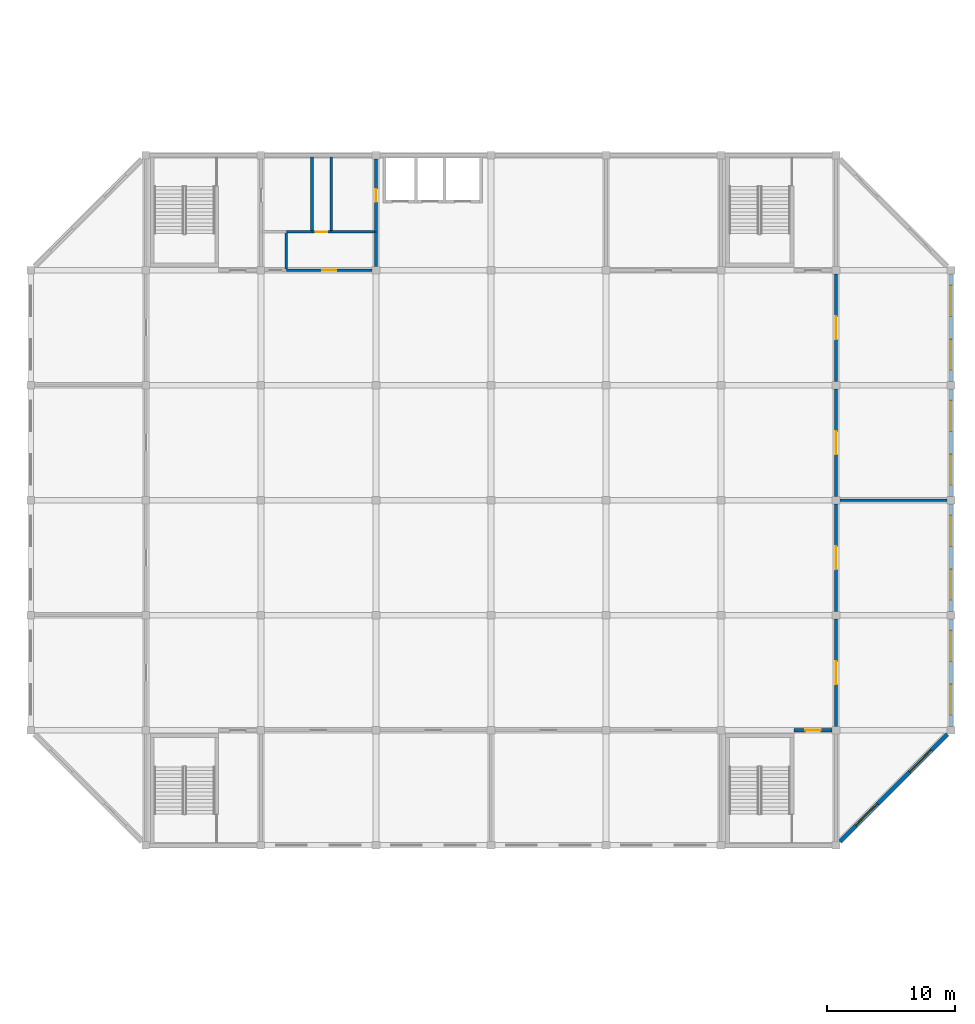
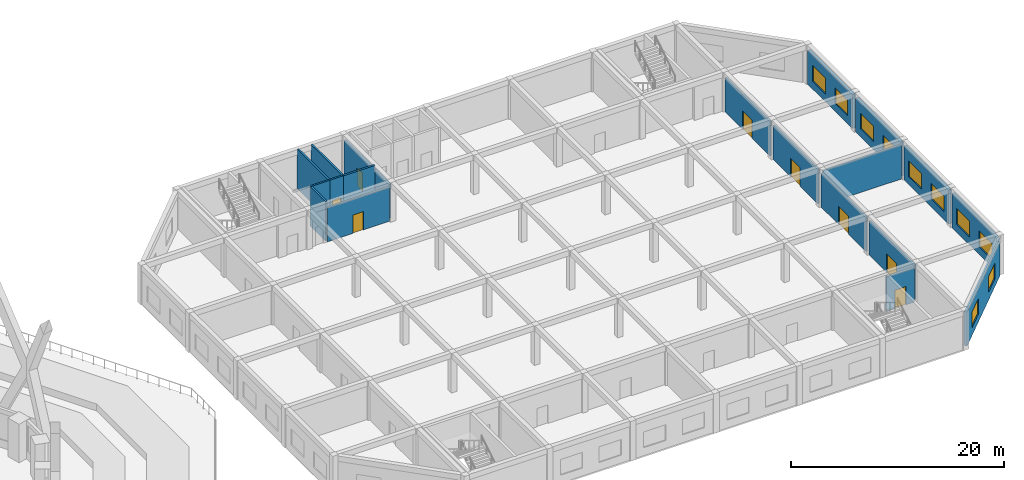
# One storey, part 15 of 27: 20 walls, 10 windows, 8 doors, 18 openings.
"""IFC4 building model written with IfcOpenShell, lengths in metres."""

from ifc_helpers import new_model, si_unit, direction, frame, frame_2d, origin, place, context, subcontext, project, spatial, rectangle, extrude, material, layer, layer_set, type_object, element, fill, save


model = new_model("IFC4")

# Units and contexts
model_context = context("Model", 3, precision=1e-05, world=origin(), true_north=direction((0.0, 1.0)))
body_context = subcontext(model_context, "Body", "Model", "MODEL_VIEW")
ifc_project = project(units=[si_unit("LENGTHUNIT", "METRE"), si_unit("AREAUNIT", "SQUARE_METRE"), si_unit("VOLUMEUNIT", "CUBIC_METRE"), si_unit("PLANEANGLEUNIT", "RADIAN"), si_unit("MASSUNIT", "GRAM", prefix="KILO")], contexts=[model_context])

# Site, building, storey
site_placement = place(None, origin())
site = spatial("IfcSite", under=ifc_project, at=site_placement, CompositionType="ELEMENT")
building_placement = place(site_placement, origin())
building = spatial("IfcBuilding", under=site, at=building_placement, Name="Dhurran Vertical Campus", CompositionType="ELEMENT")
storey_placement = place(building_placement, frame((0.0, 0.0, 10.800048828125)))
storey = spatial("IfcBuildingStorey", under=building, at=storey_placement, Name="L02", CompositionType="ELEMENT", Elevation=10.800048828125)

# Wall, openings, windows
ifc_material_1 = material(Name="Precast concrete C40/50", Category="concrete")
ifc_layer_1 = layer(ifc_material_1, 0.300048828125)
ifc_layer_set_1 = layer_set([ifc_layer_1], Name="Precast concrete C40/50")
wall_type_1 = type_object("IfcWallType", Name="hl-external wall precast 300", PredefinedType="SOLIDWALL", material=ifc_layer_set_1)
wall_1_placement = place(storey_placement, frame((124.800048828125, -26.699951171875, 0.0), z_axis=(0.0, 0.0, 1.0), x_axis=(0.707106781187, 0.707106781187, 0.0)))
wall_1 = element("IfcWall", 1, at=wall_1_placement, inside=storey, type_object=wall_type_1, Name="Hall external wall L02-016", PredefinedType="SOLIDWALL", context=body_context, shape_type="SweptSolid", body=[
    extrude(rectangle(XDim=11.879150390625, YDim=0.300048828125, at=frame_2d((5.939453125, 0.0))), origin(), (0.0, 0.0, 1.0), 3.89990234375),
])
opening_1_placement = place(wall_1_placement, frame((1.769775390625, 0.0, 0.89990234375)))
opening_1 = element("IfcOpeningElement", 2, at=opening_1_placement, cuts=wall_1, Name="Opening HWN1", PredefinedType="OPENING", context=body_context, shape_type="SweptSolid", body=[
    extrude(rectangle(XDim=2.39990234375, YDim=1.800048828125, at=frame_2d((1.199951171875, 0.89990234375))), frame((0.0, 0.159912109375, 0.0), z_axis=(0.0, -1.0, 0.0), x_axis=(1.0, 0.0, 0.0)), (0.0, 0.0, 1.0), 0.320068359375),
])
opening_2_placement = place(wall_1_placement, frame((7.70947265625, 0.0, 0.89990234375)))
opening_2 = element("IfcOpeningElement", 3, at=opening_2_placement, cuts=wall_1, Name="Opening HWN1", PredefinedType="OPENING", context=body_context, shape_type="SweptSolid", body=[
    extrude(rectangle(XDim=2.39990234375, YDim=1.800048828125, at=frame_2d((1.199951171875, 0.89990234375))), frame((0.0, 0.159912109375, 0.0), z_axis=(0.0, -1.0, 0.0), x_axis=(1.0, 0.0, 0.0)), (0.0, 0.0, 1.0), 0.320068359375),
])
ifc_material_2 = material(Name="Aluminium", Category="aluminium")
window_type = type_object("IfcWindowType", Name="hl-window 2400x1800", PartitioningType="SINGLE_PANEL", PredefinedType="WINDOW", material=ifc_material_2)
window_1_placement = place(opening_1_placement, origin())
window_1 = element("IfcWindow", 4, at=window_1_placement, inside=storey, type_object=window_type, Name="Hall window L02-043", OverallHeight=1.800048828125, OverallWidth=2.39990234375, PartitioningType="SINGLE_PANEL", PredefinedType="WINDOW", context=body_context, shape_type="SweptSolid", body=[
    extrude(rectangle(XDim=2.39990234375, YDim=1.800048828125, at=frame_2d((1.199951171875, 0.89990234375))), frame((0.0, 0.030029296875, 0.0), z_axis=(0.0, -1.0, 0.0), x_axis=(1.0, 0.0, 0.0)), (0.0, 0.0, 1.0), 0.06005859375),
])
fill(opening_1, window_1)
window_2_placement = place(opening_2_placement, origin())
window_2 = element("IfcWindow", 5, at=window_2_placement, inside=storey, type_object=window_type, Name="Hall window L02-044", OverallHeight=1.800048828125, OverallWidth=2.39990234375, PartitioningType="SINGLE_PANEL", PredefinedType="WINDOW", context=body_context, shape_type="SweptSolid", body=[
    extrude(rectangle(XDim=2.39990234375, YDim=1.800048828125, at=frame_2d((1.199951171875, 0.89990234375))), frame((0.0, 0.030029296875, 0.0), z_axis=(0.0, -1.0, 0.0), x_axis=(1.0, 0.0, 0.0)), (0.0, 0.0, 1.0), 0.06005859375),
])
fill(opening_2, window_2)

wall_2_placement = place(storey_placement, frame((133.5, -17.699951171875, 0.0), z_axis=(0.0, 0.0, 1.0), x_axis=(0.0, 1.0, 0.0)))
wall_2 = element("IfcWall", 6, at=wall_2_placement, inside=storey, type_object=wall_type_1, Name="Hall external wall L02-018", PredefinedType="SOLIDWALL", context=body_context, shape_type="SweptSolid", body=[
    extrude(rectangle(XDim=8.39990234375, YDim=0.300048828125, at=frame_2d((4.199951171875, 0.0))), origin(), (0.0, 0.0, 1.0), 3.89990234375),
])
opening_3_placement = place(wall_2_placement, frame((0.89990234375, 0.0, 0.89990234375)))
opening_3 = element("IfcOpeningElement", 7, at=opening_3_placement, cuts=wall_2, Name="Opening HWN1", PredefinedType="OPENING", context=body_context, shape_type="SweptSolid", body=[
    extrude(rectangle(XDim=2.39990234375, YDim=1.800048828125, at=frame_2d((1.199951171875, 0.89990234375))), frame((0.0, 0.159912109375, 0.0), z_axis=(0.0, -1.0, 0.0), x_axis=(1.0, 0.0, 0.0)), (0.0, 0.0, 1.0), 0.320068359375),
])
opening_4_placement = place(wall_2_placement, frame((5.10009765625, 0.0, 0.89990234375)))
opening_4 = element("IfcOpeningElement", 8, at=opening_4_placement, cuts=wall_2, Name="Opening HWN1", PredefinedType="OPENING", context=body_context, shape_type="SweptSolid", body=[
    extrude(rectangle(XDim=2.39990234375, YDim=1.800048828125, at=frame_2d((1.199951171875, 0.89990234375))), frame((0.0, 0.159912109375, 0.0), z_axis=(0.0, -1.0, 0.0), x_axis=(1.0, 0.0, 0.0)), (0.0, 0.0, 1.0), 0.320068359375),
])
window_3_placement = place(opening_3_placement, origin())
window_3 = element("IfcWindow", 9, at=window_3_placement, inside=storey, type_object=window_type, Name="Hall window L02-045", OverallHeight=1.800048828125, OverallWidth=2.39990234375, PartitioningType="SINGLE_PANEL", PredefinedType="WINDOW", context=body_context, shape_type="SweptSolid", body=[
    extrude(rectangle(XDim=2.39990234375, YDim=1.800048828125, at=frame_2d((1.199951171875, 0.89990234375))), frame((0.0, 0.030029296875, 0.0), z_axis=(0.0, -1.0, 0.0), x_axis=(1.0, 0.0, 0.0)), (0.0, 0.0, 1.0), 0.06005859375),
])
fill(opening_3, window_3)
window_4_placement = place(opening_4_placement, origin())
window_4 = element("IfcWindow", 10, at=window_4_placement, inside=storey, type_object=window_type, Name="Hall window L02-046", OverallHeight=1.800048828125, OverallWidth=2.39990234375, PartitioningType="SINGLE_PANEL", PredefinedType="WINDOW", context=body_context, shape_type="SweptSolid", body=[
    extrude(rectangle(XDim=2.39990234375, YDim=1.800048828125, at=frame_2d((1.199951171875, 0.89990234375))), frame((0.0, 0.030029296875, 0.0), z_axis=(0.0, -1.0, 0.0), x_axis=(1.0, 0.0, 0.0)), (0.0, 0.0, 1.0), 0.06005859375),
])
fill(opening_4, window_4)

wall_3_placement = place(storey_placement, frame((133.5, -8.699951171875, 0.0), z_axis=(0.0, 0.0, 1.0), x_axis=(0.0, 1.0, 0.0)))
wall_3 = element("IfcWall", 11, at=wall_3_placement, inside=storey, type_object=wall_type_1, Name="Hall external wall L02-020", PredefinedType="SOLIDWALL", context=body_context, shape_type="SweptSolid", body=[
    extrude(rectangle(XDim=8.39990234375, YDim=0.300048828125, at=frame_2d((4.199951171875, 0.0))), origin(), (0.0, 0.0, 1.0), 3.89990234375),
])
opening_5_placement = place(wall_3_placement, frame((0.89990234375, 0.0, 0.89990234375)))
opening_5 = element("IfcOpeningElement", 12, at=opening_5_placement, cuts=wall_3, Name="Opening HWN1", PredefinedType="OPENING", context=body_context, shape_type="SweptSolid", body=[
    extrude(rectangle(XDim=2.39990234375, YDim=1.800048828125, at=frame_2d((1.199951171875, 0.89990234375))), frame((0.0, 0.159912109375, 0.0), z_axis=(0.0, -1.0, 0.0), x_axis=(1.0, 0.0, 0.0)), (0.0, 0.0, 1.0), 0.320068359375),
])
opening_6_placement = place(wall_3_placement, frame((5.10009765625, 0.0, 0.89990234375)))
opening_6 = element("IfcOpeningElement", 13, at=opening_6_placement, cuts=wall_3, Name="Opening HWN1", PredefinedType="OPENING", context=body_context, shape_type="SweptSolid", body=[
    extrude(rectangle(XDim=2.39990234375, YDim=1.800048828125, at=frame_2d((1.199951171875, 0.89990234375))), frame((0.0, 0.159912109375, 0.0), z_axis=(0.0, -1.0, 0.0), x_axis=(1.0, 0.0, 0.0)), (0.0, 0.0, 1.0), 0.320068359375),
])
window_5_placement = place(opening_5_placement, origin())
window_5 = element("IfcWindow", 14, at=window_5_placement, inside=storey, type_object=window_type, Name="Hall window L02-047", OverallHeight=1.800048828125, OverallWidth=2.39990234375, PartitioningType="SINGLE_PANEL", PredefinedType="WINDOW", context=body_context, shape_type="SweptSolid", body=[
    extrude(rectangle(XDim=2.39990234375, YDim=1.800048828125, at=frame_2d((1.199951171875, 0.89990234375))), frame((0.0, 0.030029296875, 0.0), z_axis=(0.0, -1.0, 0.0), x_axis=(1.0, 0.0, 0.0)), (0.0, 0.0, 1.0), 0.06005859375),
])
fill(opening_5, window_5)
window_6_placement = place(opening_6_placement, origin())
window_6 = element("IfcWindow", 15, at=window_6_placement, inside=storey, type_object=window_type, Name="Hall window L02-048", OverallHeight=1.800048828125, OverallWidth=2.39990234375, PartitioningType="SINGLE_PANEL", PredefinedType="WINDOW", context=body_context, shape_type="SweptSolid", body=[
    extrude(rectangle(XDim=2.39990234375, YDim=1.800048828125, at=frame_2d((1.199951171875, 0.89990234375))), frame((0.0, 0.030029296875, 0.0), z_axis=(0.0, -1.0, 0.0), x_axis=(1.0, 0.0, 0.0)), (0.0, 0.0, 1.0), 0.06005859375),
])
fill(opening_6, window_6)

wall_4_placement = place(storey_placement, frame((133.5, 0.300048828125, 0.0), z_axis=(0.0, 0.0, 1.0), x_axis=(0.0, 1.0, 0.0)))
wall_4 = element("IfcWall", 16, at=wall_4_placement, inside=storey, type_object=wall_type_1, Name="Hall external wall L02-022", PredefinedType="SOLIDWALL", context=body_context, shape_type="SweptSolid", body=[
    extrude(rectangle(XDim=8.39990234375, YDim=0.300048828125, at=frame_2d((4.199951171875, 0.0))), origin(), (0.0, 0.0, 1.0), 3.89990234375),
])
opening_7_placement = place(wall_4_placement, frame((0.89990234375, 0.0, 0.89990234375)))
opening_7 = element("IfcOpeningElement", 17, at=opening_7_placement, cuts=wall_4, Name="Opening HWN1", PredefinedType="OPENING", context=body_context, shape_type="SweptSolid", body=[
    extrude(rectangle(XDim=2.39990234375, YDim=1.800048828125, at=frame_2d((1.199951171875, 0.89990234375))), frame((0.0, 0.159912109375, 0.0), z_axis=(0.0, -1.0, 0.0), x_axis=(1.0, 0.0, 0.0)), (0.0, 0.0, 1.0), 0.320068359375),
])
opening_8_placement = place(wall_4_placement, frame((5.10009765625, 0.0, 0.89990234375)))
opening_8 = element("IfcOpeningElement", 18, at=opening_8_placement, cuts=wall_4, Name="Opening HWN1", PredefinedType="OPENING", context=body_context, shape_type="SweptSolid", body=[
    extrude(rectangle(XDim=2.39990234375, YDim=1.800048828125, at=frame_2d((1.199951171875, 0.89990234375))), frame((0.0, 0.159912109375, 0.0), z_axis=(0.0, -1.0, 0.0), x_axis=(1.0, 0.0, 0.0)), (0.0, 0.0, 1.0), 0.320068359375),
])
window_7_placement = place(opening_7_placement, origin())
window_7 = element("IfcWindow", 19, at=window_7_placement, inside=storey, type_object=window_type, Name="Hall window L02-049", OverallHeight=1.800048828125, OverallWidth=2.39990234375, PartitioningType="SINGLE_PANEL", PredefinedType="WINDOW", context=body_context, shape_type="SweptSolid", body=[
    extrude(rectangle(XDim=2.39990234375, YDim=1.800048828125, at=frame_2d((1.199951171875, 0.89990234375))), frame((0.0, 0.030029296875, 0.0), z_axis=(0.0, -1.0, 0.0), x_axis=(1.0, 0.0, 0.0)), (0.0, 0.0, 1.0), 0.06005859375),
])
fill(opening_7, window_7)
window_8_placement = place(opening_8_placement, origin())
window_8 = element("IfcWindow", 20, at=window_8_placement, inside=storey, type_object=window_type, Name="Hall window L02-050", OverallHeight=1.800048828125, OverallWidth=2.39990234375, PartitioningType="SINGLE_PANEL", PredefinedType="WINDOW", context=body_context, shape_type="SweptSolid", body=[
    extrude(rectangle(XDim=2.39990234375, YDim=1.800048828125, at=frame_2d((1.199951171875, 0.89990234375))), frame((0.0, 0.030029296875, 0.0), z_axis=(0.0, -1.0, 0.0), x_axis=(1.0, 0.0, 0.0)), (0.0, 0.0, 1.0), 0.06005859375),
])
fill(opening_8, window_8)

wall_5_placement = place(storey_placement, frame((133.5, 9.300048828125, 0.0), z_axis=(0.0, 0.0, 1.0), x_axis=(0.0, 1.0, 0.0)))
wall_5 = element("IfcWall", 21, at=wall_5_placement, inside=storey, type_object=wall_type_1, Name="Hall external wall L02-024", PredefinedType="SOLIDWALL", context=body_context, shape_type="SweptSolid", body=[
    extrude(rectangle(XDim=8.39990234375, YDim=0.300048828125, at=frame_2d((4.199951171875, 0.0))), origin(), (0.0, 0.0, 1.0), 3.89990234375),
])
opening_9_placement = place(wall_5_placement, frame((0.89990234375, 0.0, 0.89990234375)))
opening_9 = element("IfcOpeningElement", 22, at=opening_9_placement, cuts=wall_5, Name="Opening HWN1", PredefinedType="OPENING", context=body_context, shape_type="SweptSolid", body=[
    extrude(rectangle(XDim=2.39990234375, YDim=1.800048828125, at=frame_2d((1.199951171875, 0.89990234375))), frame((0.0, 0.159912109375, 0.0), z_axis=(0.0, -1.0, 0.0), x_axis=(1.0, 0.0, 0.0)), (0.0, 0.0, 1.0), 0.320068359375),
])
opening_10_placement = place(wall_5_placement, frame((5.10009765625, 0.0, 0.89990234375)))
opening_10 = element("IfcOpeningElement", 23, at=opening_10_placement, cuts=wall_5, Name="Opening HWN1", PredefinedType="OPENING", context=body_context, shape_type="SweptSolid", body=[
    extrude(rectangle(XDim=2.39990234375, YDim=1.800048828125, at=frame_2d((1.199951171875, 0.89990234375))), frame((0.0, 0.159912109375, 0.0), z_axis=(0.0, -1.0, 0.0), x_axis=(1.0, 0.0, 0.0)), (0.0, 0.0, 1.0), 0.320068359375),
])
window_9_placement = place(opening_9_placement, origin())
window_9 = element("IfcWindow", 24, at=window_9_placement, inside=storey, type_object=window_type, Name="Hall window L02-051", OverallHeight=1.800048828125, OverallWidth=2.39990234375, PartitioningType="SINGLE_PANEL", PredefinedType="WINDOW", context=body_context, shape_type="SweptSolid", body=[
    extrude(rectangle(XDim=2.39990234375, YDim=1.800048828125, at=frame_2d((1.199951171875, 0.89990234375))), frame((0.0, 0.030029296875, 0.0), z_axis=(0.0, -1.0, 0.0), x_axis=(1.0, 0.0, 0.0)), (0.0, 0.0, 1.0), 0.06005859375),
])
fill(opening_9, window_9)
window_10_placement = place(opening_10_placement, origin())
window_10 = element("IfcWindow", 25, at=window_10_placement, inside=storey, type_object=window_type, Name="Hall window L02-052", OverallHeight=1.800048828125, OverallWidth=2.39990234375, PartitioningType="SINGLE_PANEL", PredefinedType="WINDOW", context=body_context, shape_type="SweptSolid", body=[
    extrude(rectangle(XDim=2.39990234375, YDim=1.800048828125, at=frame_2d((1.199951171875, 0.89990234375))), frame((0.0, 0.030029296875, 0.0), z_axis=(0.0, -1.0, 0.0), x_axis=(1.0, 0.0, 0.0)), (0.0, 0.0, 1.0), 0.06005859375),
])
fill(opening_10, window_10)

# Wall
ifc_material_3 = material(Name="Masonry blockwork", Category="masonry")
ifc_layer_2 = layer(ifc_material_3, 0.199951171875)
ifc_layer_set_2 = layer_set([ifc_layer_2], Name="Masonry blockwork")
wall_type_2 = type_object("IfcWallType", Name="hl-partition blockwork 200 EI 60", PredefinedType="PARTITIONING", material=ifc_layer_set_2)
wall_6_placement = place(storey_placement, frame((81.5, 18.10009765625, 0.0), z_axis=(0.0, 0.0, 1.0), x_axis=(0.0, 1.0, 0.0)))
element("IfcWall", 26, at=wall_6_placement, inside=storey, type_object=wall_type_2, Name="Hall partition L02-018", PredefinedType="PARTITIONING", context=body_context, shape_type="SweptSolid", body=[
    extrude(rectangle(XDim=2.89990234375, YDim=0.199951171875, at=frame_2d((1.449951171875, 0.0))), origin(), (0.0, 0.0, 1.0), 4.52001953125),
])

# Wall, opening, door
wall_7_placement = place(storey_placement, frame((81.5, 18.0, 0.0), z_axis=(0.0, 0.0, 1.0), x_axis=(1.0, 0.0, 0.0)))
wall_7 = element("IfcWall", 27, at=wall_7_placement, inside=storey, type_object=wall_type_2, Name="Hall partition L02-019", PredefinedType="PARTITIONING", context=body_context, shape_type="SweptSolid", body=[
    extrude(rectangle(XDim=6.699951171875, YDim=0.199951171875, at=frame_2d((3.35009765625, 0.0))), origin(), (0.0, 0.0, 1.0), 3.89990234375),
])
opening_11_placement = place(wall_7_placement, frame((2.800048828125, 0.0, 0.0)))
opening_11 = element("IfcOpeningElement", 28, at=opening_11_placement, cuts=wall_7, Name="Opening HD217", PredefinedType="OPENING", context=body_context, shape_type="SweptSolid", body=[
    extrude(rectangle(XDim=1.10009765625, YDim=2.10009765625, at=frame_2d((0.550048828125, 1.050048828125))), frame((0.0, 0.10986328125, 0.0), z_axis=(0.0, -1.0, 0.0), x_axis=(1.0, 0.0, 0.0)), (0.0, 0.0, 1.0), 0.219970703125),
])
ifc_material_4 = material(Name="Fire-rated steel door set", Category="steel")
door_type_1 = type_object("IfcDoorType", Name="hl-door 1100x2100 single FD30S", OperationType="NOTDEFINED", PredefinedType="DOOR", material=ifc_material_4)
door_1_placement = place(opening_11_placement, origin())
door_1 = element("IfcDoor", 29, at=door_1_placement, inside=storey, type_object=door_type_1, Name="Door HD217", OperationType="SINGLE_SWING_LEFT", OverallHeight=2.10009765625, OverallWidth=1.10009765625, PredefinedType="DOOR", context=body_context, shape_type="SweptSolid", body=[
    extrude(rectangle(XDim=1.10009765625, YDim=2.10009765625, at=frame_2d((0.550048828125, 1.050048828125))), frame((0.0, 0.02490234375, 0.0), z_axis=(0.0, -1.0, 0.0), x_axis=(1.0, 0.0, 0.0)), (0.0, 0.0, 1.0), 0.050048828125),
])
fill(opening_11, door_1)

# Walls
wall_8_placement = place(storey_placement, frame((81.5, 21.0, 0.0), z_axis=(0.0, 0.0, 1.0), x_axis=(1.0, 0.0, 0.0)))
element("IfcWall", 30, at=wall_8_placement, inside=storey, type_object=wall_type_2, Name="Hall partition L02-020", PredefinedType="PARTITIONING", context=body_context, shape_type="SweptSolid", body=[
    extrude(rectangle(XDim=2.0, YDim=0.199951171875, at=frame_2d((1.0, 0.0))), origin(), (0.0, 0.0, 1.0), 4.52001953125),
])
wall_9_placement = place(storey_placement, frame((83.5, 21.0, 0.0), z_axis=(0.0, 0.0, 1.0), x_axis=(0.0, 1.0, 0.0)))
element("IfcWall", 31, at=wall_9_placement, inside=storey, type_object=wall_type_2, Name="Hall partition L02-021", PredefinedType="PARTITIONING", context=body_context, shape_type="SweptSolid", body=[
    extrude(rectangle(XDim=5.85009765625, YDim=0.199951171875, at=frame_2d((2.925048828125, 0.0))), origin(), (0.0, 0.0, 1.0), 4.52001953125),
])

# Wall, opening, door
wall_10_placement = place(storey_placement, frame((83.5, 21.0, 0.0), z_axis=(0.0, 0.0, 1.0), x_axis=(1.0, 0.0, 0.0)))
wall_10 = element("IfcWall", 32, at=wall_10_placement, inside=storey, type_object=wall_type_2, Name="Hall partition L02-022", PredefinedType="PARTITIONING", context=body_context, shape_type="SweptSolid", body=[
    extrude(rectangle(XDim=1.5, YDim=0.199951171875, at=frame_2d((0.75, 0.0))), origin(), (0.0, 0.0, 1.0), 4.52001953125),
])
opening_12_placement = place(wall_10_placement, frame((0.300048828125, 0.0, 0.0)))
opening_12 = element("IfcOpeningElement", 33, at=opening_12_placement, cuts=wall_10, Name="Opening HD220", PredefinedType="OPENING", context=body_context, shape_type="SweptSolid", body=[
    extrude(rectangle(XDim=0.89990234375, YDim=2.10009765625, at=frame_2d((0.449951171875, 1.050048828125))), frame((0.0, 0.10986328125, 0.0), z_axis=(0.0, -1.0, 0.0), x_axis=(1.0, 0.0, 0.0)), (0.0, 0.0, 1.0), 0.219970703125),
])
ifc_material_5 = material(Name="Fire-rated steel door set", Category="steel")
door_type_2 = type_object("IfcDoorType", Name="hl-door 900x2100 single FD30S", OperationType="NOTDEFINED", PredefinedType="DOOR", material=ifc_material_5)
door_2_placement = place(opening_12_placement, origin())
door_2 = element("IfcDoor", 34, at=door_2_placement, inside=storey, type_object=door_type_2, Name="Door HD220", OperationType="SINGLE_SWING_RIGHT", OverallHeight=2.10009765625, OverallWidth=0.89990234375, PredefinedType="DOOR", context=body_context, shape_type="SweptSolid", body=[
    extrude(rectangle(XDim=0.89990234375, YDim=2.10009765625, at=frame_2d((0.449951171875, 1.050048828125))), frame((0.0, 0.02490234375, 0.0), z_axis=(0.0, -1.0, 0.0), x_axis=(1.0, 0.0, 0.0)), (0.0, 0.0, 1.0), 0.050048828125),
])
fill(opening_12, door_2)

# Walls
wall_11_placement = place(storey_placement, frame((85.0, 21.0, 0.0), z_axis=(0.0, 0.0, 1.0), x_axis=(0.0, 1.0, 0.0)))
element("IfcWall", 35, at=wall_11_placement, inside=storey, type_object=wall_type_2, Name="Hall partition L02-023", PredefinedType="PARTITIONING", context=body_context, shape_type="SweptSolid", body=[
    extrude(rectangle(XDim=5.85009765625, YDim=0.199951171875, at=frame_2d((2.925048828125, 0.0))), origin(), (0.0, 0.0, 1.0), 4.52001953125),
])
wall_12_placement = place(storey_placement, frame((85.0, 21.0, 0.0), z_axis=(0.0, 0.0, 1.0), x_axis=(1.0, 0.0, 0.0)))
element("IfcWall", 36, at=wall_12_placement, inside=storey, type_object=wall_type_2, Name="Hall partition L02-024", PredefinedType="PARTITIONING", context=body_context, shape_type="SweptSolid", body=[
    extrude(rectangle(XDim=3.39990234375, YDim=0.199951171875, at=frame_2d((1.699951171875, 0.0))), origin(), (0.0, 0.0, 1.0), 4.52001953125),
])

# Wall, opening, door
wall_13_placement = place(storey_placement, frame((124.5, -17.699951171875, 0.0), z_axis=(0.0, 0.0, 1.0), x_axis=(0.0, 1.0, 0.0)))
wall_13 = element("IfcWall", 37, at=wall_13_placement, inside=storey, type_object=wall_type_2, Name="Hall partition L02-037", PredefinedType="PARTITIONING", context=body_context, shape_type="SweptSolid", body=[
    extrude(rectangle(XDim=8.39990234375, YDim=0.199951171875, at=frame_2d((4.199951171875, 0.0))), origin(), (0.0, 0.0, 1.0), 3.89990234375),
])
opening_13_placement = place(wall_13_placement, frame((3.300048828125, 0.0, 0.0)))
opening_13 = element("IfcOpeningElement", 38, at=opening_13_placement, cuts=wall_13, Name="Opening HD213", PredefinedType="OPENING", context=body_context, shape_type="SweptSolid", body=[
    extrude(rectangle(XDim=1.800048828125, YDim=2.10009765625, at=frame_2d((0.89990234375, 1.050048828125))), frame((0.0, 0.10986328125, 0.0), z_axis=(0.0, -1.0, 0.0), x_axis=(1.0, 0.0, 0.0)), (0.0, 0.0, 1.0), 0.219970703125),
])
ifc_material_6 = material(Name="Fire-rated steel door set", Category="steel")
door_type_3 = type_object("IfcDoorType", Name="hl-door 1800x2100 double FD30S", OperationType="NOTDEFINED", PredefinedType="DOOR", material=ifc_material_6)
door_3_placement = place(opening_13_placement, origin())
door_3 = element("IfcDoor", 39, at=door_3_placement, inside=storey, type_object=door_type_3, Name="Door HD213", OperationType="DOUBLE_DOOR_SINGLE_SWING", OverallHeight=2.10009765625, OverallWidth=1.800048828125, PredefinedType="DOOR", context=body_context, shape_type="SweptSolid", body=[
    extrude(rectangle(XDim=1.800048828125, YDim=2.10009765625, at=frame_2d((0.89990234375, 1.050048828125))), frame((0.0, 0.02490234375, 0.0), z_axis=(0.0, -1.0, 0.0), x_axis=(1.0, 0.0, 0.0)), (0.0, 0.0, 1.0), 0.050048828125),
])
fill(opening_13, door_3)

wall_14_placement = place(storey_placement, frame((124.5, -8.699951171875, 0.0), z_axis=(0.0, 0.0, 1.0), x_axis=(0.0, 1.0, 0.0)))
wall_14 = element("IfcWall", 40, at=wall_14_placement, inside=storey, type_object=wall_type_2, Name="Hall partition L02-038", PredefinedType="PARTITIONING", context=body_context, shape_type="SweptSolid", body=[
    extrude(rectangle(XDim=8.39990234375, YDim=0.199951171875, at=frame_2d((4.199951171875, 0.0))), origin(), (0.0, 0.0, 1.0), 3.89990234375),
])
opening_14_placement = place(wall_14_placement, frame((3.300048828125, 0.0, 0.0)))
opening_14 = element("IfcOpeningElement", 41, at=opening_14_placement, cuts=wall_14, Name="Opening HD214", PredefinedType="OPENING", context=body_context, shape_type="SweptSolid", body=[
    extrude(rectangle(XDim=1.800048828125, YDim=2.10009765625, at=frame_2d((0.89990234375, 1.050048828125))), frame((0.0, 0.10986328125, 0.0), z_axis=(0.0, -1.0, 0.0), x_axis=(1.0, 0.0, 0.0)), (0.0, 0.0, 1.0), 0.219970703125),
])
door_4_placement = place(opening_14_placement, origin())
door_4 = element("IfcDoor", 42, at=door_4_placement, inside=storey, type_object=door_type_3, Name="Door HD214", OperationType="DOUBLE_DOOR_SINGLE_SWING", OverallHeight=2.10009765625, OverallWidth=1.800048828125, PredefinedType="DOOR", context=body_context, shape_type="SweptSolid", body=[
    extrude(rectangle(XDim=1.800048828125, YDim=2.10009765625, at=frame_2d((0.89990234375, 1.050048828125))), frame((0.0, 0.02490234375, 0.0), z_axis=(0.0, -1.0, 0.0), x_axis=(1.0, 0.0, 0.0)), (0.0, 0.0, 1.0), 0.050048828125),
])
fill(opening_14, door_4)

wall_15_placement = place(storey_placement, frame((124.5, 0.300048828125, 0.0), z_axis=(0.0, 0.0, 1.0), x_axis=(0.0, 1.0, 0.0)))
wall_15 = element("IfcWall", 43, at=wall_15_placement, inside=storey, type_object=wall_type_2, Name="Hall partition L02-039", PredefinedType="PARTITIONING", context=body_context, shape_type="SweptSolid", body=[
    extrude(rectangle(XDim=8.39990234375, YDim=0.199951171875, at=frame_2d((4.199951171875, 0.0))), origin(), (0.0, 0.0, 1.0), 3.89990234375),
])
opening_15_placement = place(wall_15_placement, frame((3.300048828125, 0.0, 0.0)))
opening_15 = element("IfcOpeningElement", 44, at=opening_15_placement, cuts=wall_15, Name="Opening HD215", PredefinedType="OPENING", context=body_context, shape_type="SweptSolid", body=[
    extrude(rectangle(XDim=1.800048828125, YDim=2.10009765625, at=frame_2d((0.89990234375, 1.050048828125))), frame((0.0, 0.10986328125, 0.0), z_axis=(0.0, -1.0, 0.0), x_axis=(1.0, 0.0, 0.0)), (0.0, 0.0, 1.0), 0.219970703125),
])
door_5_placement = place(opening_15_placement, origin())
door_5 = element("IfcDoor", 45, at=door_5_placement, inside=storey, type_object=door_type_3, Name="Door HD215", OperationType="DOUBLE_DOOR_SINGLE_SWING", OverallHeight=2.10009765625, OverallWidth=1.800048828125, PredefinedType="DOOR", context=body_context, shape_type="SweptSolid", body=[
    extrude(rectangle(XDim=1.800048828125, YDim=2.10009765625, at=frame_2d((0.89990234375, 1.050048828125))), frame((0.0, 0.02490234375, 0.0), z_axis=(0.0, -1.0, 0.0), x_axis=(1.0, 0.0, 0.0)), (0.0, 0.0, 1.0), 0.050048828125),
])
fill(opening_15, door_5)

wall_16_placement = place(storey_placement, frame((124.5, 9.300048828125, 0.0), z_axis=(0.0, 0.0, 1.0), x_axis=(0.0, 1.0, 0.0)))
wall_16 = element("IfcWall", 46, at=wall_16_placement, inside=storey, type_object=wall_type_2, Name="Hall partition L02-040", PredefinedType="PARTITIONING", context=body_context, shape_type="SweptSolid", body=[
    extrude(rectangle(XDim=8.39990234375, YDim=0.199951171875, at=frame_2d((4.199951171875, 0.0))), origin(), (0.0, 0.0, 1.0), 3.89990234375),
])
opening_16_placement = place(wall_16_placement, frame((3.300048828125, 0.0, 0.0)))
opening_16 = element("IfcOpeningElement", 47, at=opening_16_placement, cuts=wall_16, Name="Opening HD216", PredefinedType="OPENING", context=body_context, shape_type="SweptSolid", body=[
    extrude(rectangle(XDim=1.800048828125, YDim=2.10009765625, at=frame_2d((0.89990234375, 1.050048828125))), frame((0.0, 0.10986328125, 0.0), z_axis=(0.0, -1.0, 0.0), x_axis=(1.0, 0.0, 0.0)), (0.0, 0.0, 1.0), 0.219970703125),
])
door_6_placement = place(opening_16_placement, origin())
door_6 = element("IfcDoor", 48, at=door_6_placement, inside=storey, type_object=door_type_3, Name="Door HD216", OperationType="DOUBLE_DOOR_SINGLE_SWING", OverallHeight=2.10009765625, OverallWidth=1.800048828125, PredefinedType="DOOR", context=body_context, shape_type="SweptSolid", body=[
    extrude(rectangle(XDim=1.800048828125, YDim=2.10009765625, at=frame_2d((0.89990234375, 1.050048828125))), frame((0.0, 0.02490234375, 0.0), z_axis=(0.0, -1.0, 0.0), x_axis=(1.0, 0.0, 0.0)), (0.0, 0.0, 1.0), 0.050048828125),
])
fill(opening_16, door_6)

# Walls
wall_17_placement = place(storey_placement, frame((124.800048828125, 0.0, 0.0), z_axis=(0.0, 0.0, 1.0), x_axis=(1.0, 0.0, 0.0)))
element("IfcWall", 49, at=wall_17_placement, inside=storey, type_object=wall_type_2, Name="Hall partition L02-041", PredefinedType="PARTITIONING", context=body_context, shape_type="SweptSolid", body=[
    extrude(rectangle(XDim=8.39990234375, YDim=0.199951171875, at=frame_2d((4.199951171875, 0.0))), origin(), (0.0, 0.0, 1.0), 3.89990234375),
])
ifc_material_7 = material(Name="Masonry blockwork", Category="masonry")
ifc_layer_3 = layer(ifc_material_7, 0.25)
ifc_layer_set_3 = layer_set([ifc_layer_3], Name="Masonry blockwork")
wall_type_3 = type_object("IfcWallType", Name="hl-partition blockwork 250 EI 120", PredefinedType="PARTITIONING", material=ifc_layer_set_3)
wall_18_placement = place(storey_placement, frame((88.5, 18.300048828125, 0.0), z_axis=(0.0, 0.0, 1.0), x_axis=(0.0, 1.0, 0.0)))
element("IfcWall", 50, at=wall_18_placement, inside=storey, type_object=wall_type_3, Name="Hall partition L02-025", PredefinedType="PARTITIONING", context=body_context, shape_type="SweptSolid", body=[
    extrude(rectangle(XDim=2.699951171875, YDim=0.25, at=frame_2d((1.35009765625, 0.0))), origin(), (0.0, 0.0, 1.0), 3.89990234375),
])

# Wall, opening, door
wall_19_placement = place(storey_placement, frame((88.5, 21.0, 0.0), z_axis=(0.0, 0.0, 1.0), x_axis=(0.0, 1.0, 0.0)))
wall_19 = element("IfcWall", 51, at=wall_19_placement, inside=storey, type_object=wall_type_3, Name="Hall partition L02-026", PredefinedType="PARTITIONING", context=body_context, shape_type="SweptSolid", body=[
    extrude(rectangle(XDim=5.699951171875, YDim=0.25, at=frame_2d((2.85009765625, 0.0))), origin(), (0.0, 0.0, 1.0), 3.89990234375),
])
opening_17_placement = place(wall_19_placement, frame((2.35009765625, 0.0, 0.0)))
opening_17 = element("IfcOpeningElement", 52, at=opening_17_placement, cuts=wall_19, Name="Opening HD221", PredefinedType="OPENING", context=body_context, shape_type="SweptSolid", body=[
    extrude(rectangle(XDim=1.0, YDim=2.10009765625, at=frame_2d((0.5, 1.050048828125))), frame((0.0, 0.135009765625, 0.0), z_axis=(0.0, -1.0, 0.0), x_axis=(1.0, 0.0, 0.0)), (0.0, 0.0, 1.0), 0.27001953125),
])
ifc_material_8 = material(Name="Fire-rated steel door set", Category="steel")
door_type_4 = type_object("IfcDoorType", Name="hl-door 1000x2100 single FD90", OperationType="NOTDEFINED", PredefinedType="DOOR", material=ifc_material_8)
door_7_placement = place(opening_17_placement, origin())
door_7 = element("IfcDoor", 53, at=door_7_placement, inside=storey, type_object=door_type_4, Name="Door HD221", OperationType="SINGLE_SWING_LEFT", OverallHeight=2.10009765625, OverallWidth=1.0, PredefinedType="DOOR", context=body_context, shape_type="SweptSolid", body=[
    extrude(rectangle(XDim=1.0, YDim=2.10009765625, at=frame_2d((0.5, 1.050048828125))), frame((0.0, 0.02490234375, 0.0), z_axis=(0.0, -1.0, 0.0), x_axis=(1.0, 0.0, 0.0)), (0.0, 0.0, 1.0), 0.050048828125),
])
fill(opening_17, door_7)

wall_20_placement = place(storey_placement, frame((121.199951171875, -18.0, 0.0), z_axis=(0.0, 0.0, 1.0), x_axis=(1.0, 0.0, 0.0)))
wall_20 = element("IfcWall", 54, at=wall_20_placement, inside=storey, type_object=wall_type_3, Name="Hall partition L02-034", PredefinedType="PARTITIONING", context=body_context, shape_type="SweptSolid", body=[
    extrude(rectangle(XDim=3.0, YDim=0.25, at=frame_2d((1.5, 0.0))), origin(), (0.0, 0.0, 1.0), 3.89990234375),
])
opening_18_placement = place(wall_20_placement, frame((0.89990234375, 0.0, 0.0)))
opening_18 = element("IfcOpeningElement", 55, at=opening_18_placement, cuts=wall_20, Name="Opening HD202", PredefinedType="OPENING", context=body_context, shape_type="SweptSolid", body=[
    extrude(rectangle(XDim=1.199951171875, YDim=2.10009765625, at=frame_2d((0.60009765625, 1.050048828125))), frame((0.0, 0.135009765625, 0.0), z_axis=(0.0, -1.0, 0.0), x_axis=(1.0, 0.0, 0.0)), (0.0, 0.0, 1.0), 0.27001953125),
])
ifc_material_9 = material(Name="Fire-rated steel door set", Category="steel")
door_type_5 = type_object("IfcDoorType", Name="hl-door 1200x2100 single FD90", OperationType="NOTDEFINED", PredefinedType="DOOR", material=ifc_material_9)
door_8_placement = place(opening_18_placement, origin())
door_8 = element("IfcDoor", 56, at=door_8_placement, inside=storey, type_object=door_type_5, Name="Door HD202", OperationType="SINGLE_SWING_RIGHT", OverallHeight=2.10009765625, OverallWidth=1.199951171875, PredefinedType="DOOR", context=body_context, shape_type="SweptSolid", body=[
    extrude(rectangle(XDim=1.199951171875, YDim=2.10009765625, at=frame_2d((0.60009765625, 1.050048828125))), frame((0.0, 0.02490234375, 0.0), z_axis=(0.0, -1.0, 0.0), x_axis=(1.0, 0.0, 0.0)), (0.0, 0.0, 1.0), 0.050048828125),
])
fill(opening_18, door_8)

save(model, "model.ifc")
